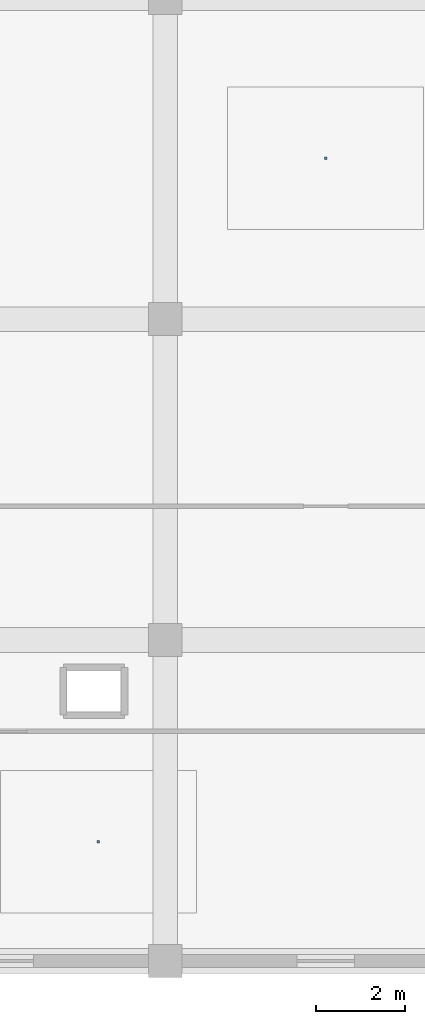
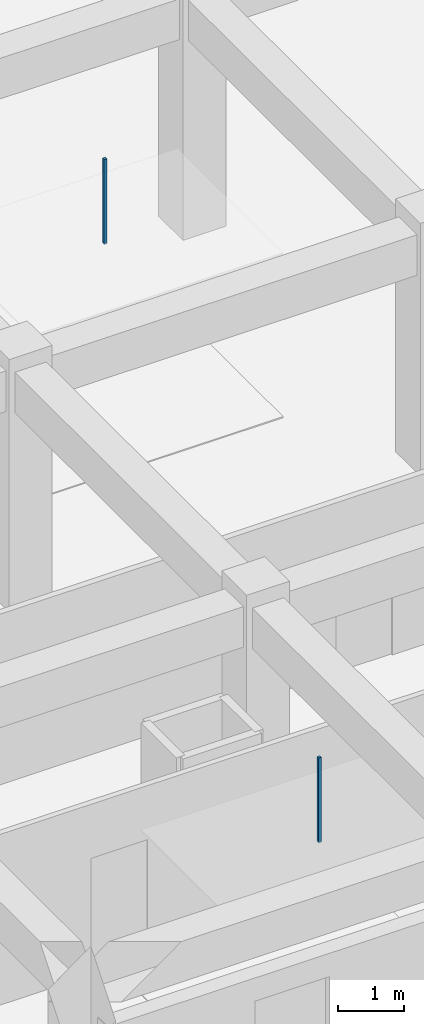
# One storey, part 43 of 55: 2 discrete accessories.
"""IFC4 building model written with IfcOpenShell, lengths in metres."""

from ifc_helpers import new_model, si_unit, direction, frame, origin, origin_2d, place, context, subcontext, project, spatial, rectangle, extrude, material, type_object, element, save


model = new_model("IFC4")

# Units and contexts
model_context = context("Model", 3, precision=1e-05, world=origin(), true_north=direction((0.0, 1.0)))
body_context = subcontext(model_context, "Body", "Model", "MODEL_VIEW")
ifc_project = project(units=[si_unit("LENGTHUNIT", "METRE"), si_unit("AREAUNIT", "SQUARE_METRE"), si_unit("VOLUMEUNIT", "CUBIC_METRE"), si_unit("PLANEANGLEUNIT", "RADIAN"), si_unit("MASSUNIT", "GRAM", prefix="KILO")], contexts=[model_context])

# Site, building, storey
site_placement = place(None, origin())
site = spatial("IfcSite", under=ifc_project, at=site_placement, CompositionType="ELEMENT")
building_placement = place(site_placement, origin())
building = spatial("IfcBuilding", under=site, at=building_placement, Name="Kazehaya Institute of Natural Sciences", CompositionType="ELEMENT")
storey_placement = place(building_placement, frame((0.0, 0.0, 15.1201171875)))
storey = spatial("IfcBuildingStorey", under=building, at=storey_placement, Name="L03", CompositionType="ELEMENT", Elevation=15.1201171875)

# Discrete accessories
ifc_material = material(Name="Structural steel SN490B", Category="steel")
discrete_accessory_type = type_object("IfcDiscreteAccessoryType", Name="ACC-CLG-HGR", PredefinedType="BRACKET", material=ifc_material)
for number, where, z_axis, x_axis, name in (
    (1, (101.397705078125, 104.005615234375, 3.032470703125), (0.0, 0.0, 1.0), (1.0, 0.0, 0.0), "L03 ceiling suspension hanger 38"),
    (2, (96.300048828125, 88.675048828125, 3.032470703125), (0.0, 0.0, 1.0), (1.0, 0.0, 0.0), "L03 ceiling suspension hanger 39"),
):
    element("IfcDiscreteAccessory", number, at=place(storey_placement, frame(where, z_axis=z_axis, x_axis=x_axis)), inside=storey, type_object=discrete_accessory_type, Name=name, PredefinedType="BRACKET", context=body_context, shape_type="SweptSolid", body=[
        extrude(rectangle(XDim=0.050048828125, YDim=0.050048828125, at=origin_2d()), origin(), (0.0, 0.0, 1.0), 1.5673828125),
    ])

save(model, "model.ifc")
